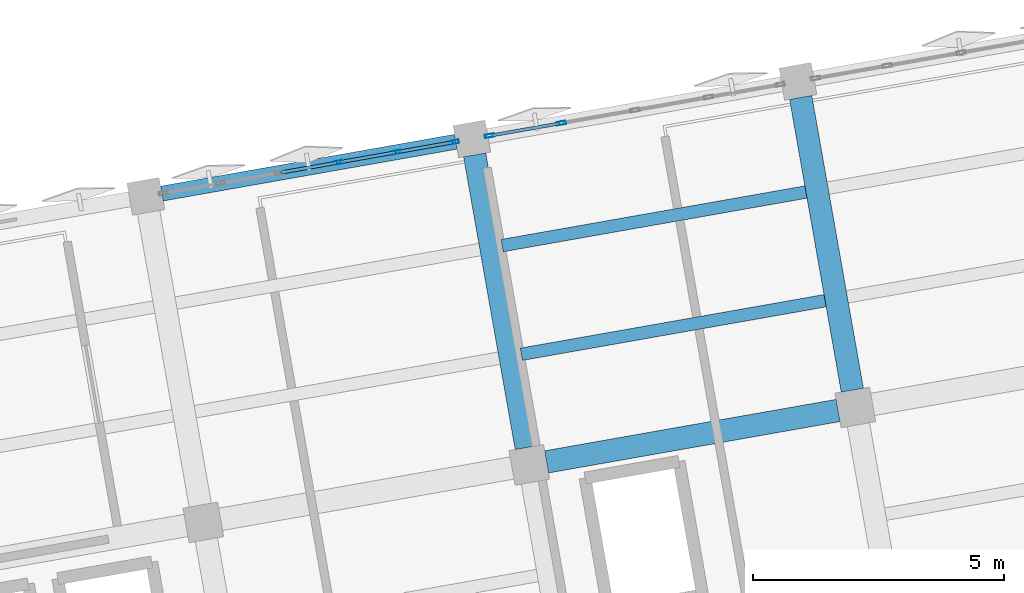
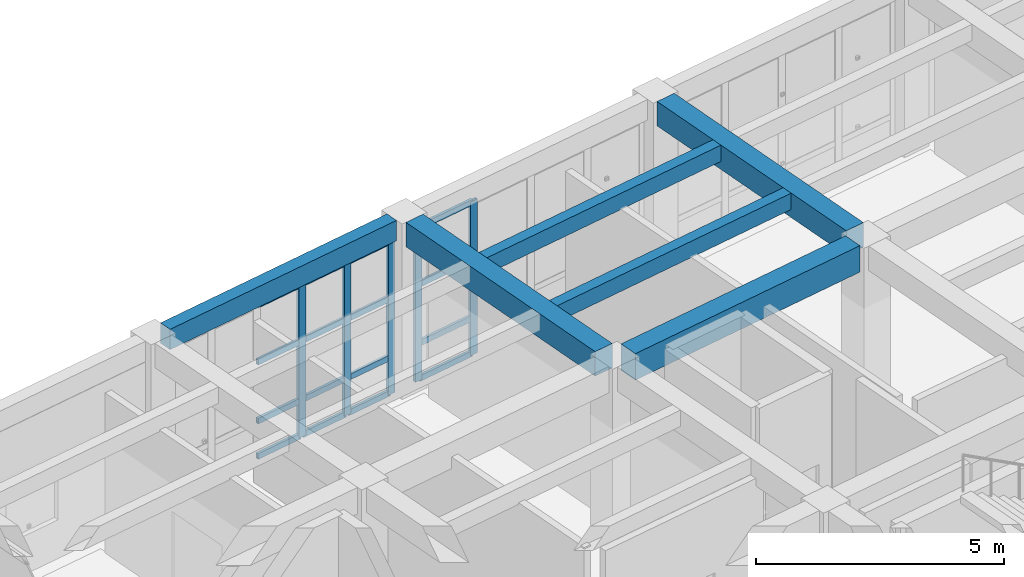
# One storey, part 15 of 48: 21 members, 6 beams, 2 elements without a shape of their own.
"""IFC4 building model written with IfcOpenShell, lengths in metres."""

from ifc_helpers import new_model, si_unit, direction, frame, origin, origin_2d, place, context, subcontext, project, spatial, rectangle, hollow_rectangle, extrude, material, layer, layer_set, material_profile, profile_set, type_object, element, aggregate, save


model = new_model("IFC4")

# Units and contexts
model_context = context("Model", 3, precision=1e-05, world=origin(), true_north=direction((0.0, 1.0)))
body_context = subcontext(model_context, "Body", "Model", "MODEL_VIEW")
ifc_project = project(units=[si_unit("LENGTHUNIT", "METRE"), si_unit("AREAUNIT", "SQUARE_METRE"), si_unit("VOLUMEUNIT", "CUBIC_METRE"), si_unit("PLANEANGLEUNIT", "RADIAN"), si_unit("MASSUNIT", "GRAM", prefix="KILO")], contexts=[model_context])

# Site, building, storey
site_placement = place(None, origin())
site = spatial("IfcSite", under=ifc_project, at=site_placement, CompositionType="ELEMENT")
building_placement = place(site_placement, origin())
building = spatial("IfcBuilding", under=site, at=building_placement, Name="Kharisveld Research Institute", CompositionType="ELEMENT")
storey_placement = place(building_placement, frame((0.0, 0.0, 14.10009765625)))
storey = spatial("IfcBuildingStorey", under=building, at=storey_placement, Name="L03", CompositionType="ELEMENT", Elevation=14.10009765625)

# Beams
ifc_material_1 = material(Name="Concrete C40/50", Category="concrete")
ifc_material_profile_1 = material_profile(ifc_material_1, rectangle(XDim=0.449951171875, YDim=0.60009765625, at=origin_2d()))
ifc_profile_set_1 = profile_set([ifc_material_profile_1], Name="Concrete C40/50")
beam_type_1 = type_object("IfcBeamType", Name="BM_RC_450x600", PredefinedType="BEAM", material=ifc_profile_set_1)
for number, where, z_axis, x_axis, name in (
    (1, (15.846435546875, 50.646240234375, 4.010009765625), (-0.173639592071, 0.984809266846, 0.0), (-0.984809266846, -0.173639592071, 0.0), "BM:V1:L03:V2_2"),
    (2, (22.34619140625, 51.79248046875, 4.010009765625), (-0.173639592071, 0.984809266846, 0.0), (-0.984809266846, -0.173639592071, 0.0), "BM:V1:L03:V3_2"),
):
    element("IfcBeam", number, at=place(storey_placement, frame(where, z_axis=z_axis, x_axis=x_axis)), inside=storey, type_object=beam_type_1, Name=name, PredefinedType="BEAM", context=body_context, shape_type="SweptSolid", body=[
        extrude(rectangle(XDim=0.449951171875, YDim=0.60009765625, at=origin_2d()), origin(), (0.0, 0.0, 1.0), 5.925048828125),
    ])
ifc_material_2 = material(Name="Concrete C40/50", Category="concrete")
ifc_material_profile_2 = material_profile(ifc_material_2, rectangle(XDim=0.449951171875, YDim=0.64990234375, at=origin_2d()))
ifc_profile_set_2 = profile_set([ifc_material_profile_2], Name="Concrete C40/50")
beam_type_2 = type_object("IfcBeamType", Name="BM_RC_450x650", PredefinedType="BEAM", material=ifc_profile_set_2)
beam_1_placement = place(storey_placement, frame((16.251953125, 50.3623046875, 3.98486328125), z_axis=(0.984803548023, 0.173672023659, 0.0), x_axis=(-0.173672023659, 0.984803548023, 0.0)))
element("IfcBeam", 3, at=beam_1_placement, inside=storey, type_object=beam_type_2, Name="BM:V1:L03:U2_2", PredefinedType="BEAM", context=body_context, shape_type="SweptSolid", body=[
    extrude(rectangle(XDim=0.449951171875, YDim=0.64990234375, at=origin_2d()), origin(), (0.0, 0.0, 1.0), 5.89990234375),
])

# Curtain wall, members
ifc_material_3 = material(Name="Thermally Broken Aluminium Curtain Wall", Category="aluminium")
ifc_layer_1 = layer(ifc_material_3, 0.159912109375)
ifc_layer_set_1 = layer_set([ifc_layer_1], Name="CW_SYS_01")
curtain_wall_type_1 = type_object("IfcCurtainWallType", Name="CW_SYS_01", PredefinedType="NOTDEFINED", material=ifc_layer_set_1)
curtain_wall_1_placement = place(storey_placement, origin())
curtain_wall_1 = element("IfcCurtainWall", 4, at=curtain_wall_1_placement, inside=storey, type_object=curtain_wall_type_1, Name="CW:V1:L03:N1", PredefinedType="NOTDEFINED")
ifc_material_4 = material(Name="Anodised Aluminium AW-6063-T6", Category="aluminium")
ifc_material_profile_3 = material_profile(ifc_material_4, hollow_rectangle(XDim=0.070068359375, YDim=0.179931640625, WallThickness=0.00439453125, at=origin_2d()))
ifc_profile_set_3 = profile_set([ifc_material_profile_3], Name="Anodised Aluminium AW-6063-T6")
member_type_1 = type_object("IfcMemberType", Name="CW_MUL_180", PredefinedType="MULLION", material=ifc_profile_set_3)
member_1_placement = place(storey_placement, frame((12.098388671875, 56.331787109375, 0.0), z_axis=(0.0, 0.0, 1.0), x_axis=(-0.173648295062, 0.984807732312, 0.0)))
member_1 = element("IfcMember", 5, at=member_1_placement, type_object=member_type_1, Name="CW-01 mullion 4", PredefinedType="MULLION", context=body_context, shape_type="SweptSolid", body=[
    extrude(hollow_rectangle(XDim=0.070068359375, YDim=0.179931640625, WallThickness=0.00439453125, at=origin_2d()), origin(), (0.0, 0.0, 1.0), 3.77978515625),
])
member_2_placement = place(storey_placement, frame((13.272216796875, 56.538818359375, 0.0), z_axis=(0.0, 0.0, 1.0), x_axis=(-0.173648295062, 0.984807732312, 0.0)))
member_2 = element("IfcMember", 6, at=member_2_placement, type_object=member_type_1, Name="CW-01 mullion 5", PredefinedType="MULLION", context=body_context, shape_type="SweptSolid", body=[
    extrude(hollow_rectangle(XDim=0.070068359375, YDim=0.179931640625, WallThickness=0.00439453125, at=origin_2d()), origin(), (0.0, 0.0, 1.0), 3.77978515625),
])
member_3_placement = place(storey_placement, frame((14.41162109375, 56.73974609375, 0.0), z_axis=(0.0, 0.0, 1.0), x_axis=(-0.173648295062, 0.984807732312, 0.0)))
member_3 = element("IfcMember", 7, at=member_3_placement, type_object=member_type_1, Name="CW-01 mullion 6", PredefinedType="MULLION", context=body_context, shape_type="SweptSolid", body=[
    extrude(hollow_rectangle(XDim=0.070068359375, YDim=0.179931640625, WallThickness=0.00439453125, at=origin_2d()), origin(), (0.0, 0.0, 1.0), 3.77978515625),
])

ifc_material_5 = material(Name="Thermally Broken Aluminium Curtain Wall", Category="aluminium")
ifc_layer_2 = layer(ifc_material_5, 0.159912109375)
ifc_layer_set_2 = layer_set([ifc_layer_2], Name="CW_SYS_02")
curtain_wall_type_2 = type_object("IfcCurtainWallType", Name="CW_SYS_02", PredefinedType="NOTDEFINED", material=ifc_layer_set_2)
curtain_wall_2_placement = place(storey_placement, origin())
curtain_wall_2 = element("IfcCurtainWall", 8, at=curtain_wall_2_placement, inside=storey, type_object=curtain_wall_type_2, Name="CW:V1:L03:N2", PredefinedType="NOTDEFINED")
member_4_placement = place(storey_placement, frame((15.11083984375, 56.863037109375, 0.0), z_axis=(0.0, 0.0, 1.0), x_axis=(-0.173648266375, 0.984807737371, 0.0)))
member_4 = element("IfcMember", 9, at=member_4_placement, type_object=member_type_1, Name="CW-02 mullion 1", PredefinedType="MULLION", context=body_context, shape_type="SweptSolid", body=[
    extrude(hollow_rectangle(XDim=0.070068359375, YDim=0.179931640625, WallThickness=0.00439453125, at=origin_2d()), origin(), (0.0, 0.0, 1.0), 3.77978515625),
])
member_5_placement = place(storey_placement, frame((16.543701171875, 57.11572265625, 0.0), z_axis=(0.0, 0.0, 1.0), x_axis=(-0.173648266375, 0.984807737371, 0.0)))
member_5 = element("IfcMember", 10, at=member_5_placement, type_object=member_type_1, Name="CW-02 mullion 2", PredefinedType="MULLION", context=body_context, shape_type="SweptSolid", body=[
    extrude(hollow_rectangle(XDim=0.070068359375, YDim=0.179931640625, WallThickness=0.00439453125, at=origin_2d()), origin(), (0.0, 0.0, 1.0), 3.77978515625),
])

# Member
ifc_material_6 = material(Name="Anodised Aluminium AW-6063-T6", Category="aluminium")
ifc_material_profile_4 = material_profile(ifc_material_6, hollow_rectangle(XDim=0.06494140625, YDim=0.139892578125, WallThickness=0.00390625, at=origin_2d()))
ifc_profile_set_4 = profile_set([ifc_material_profile_4], Name="Anodised Aluminium AW-6063-T6")
member_type_2 = type_object("IfcMemberType", Name="CW_TRN_140", PredefinedType="USERDEFINED", material=ifc_profile_set_4)
member_6_placement = place(storey_placement, frame((10.958984375, 56.130859375, 0.032470703125), z_axis=(0.984803271184, 0.17367359346, 0.0), x_axis=(-0.17367359346, 0.984803271184, 0.0)))
member_6 = element("IfcMember", 11, at=member_6_placement, type_object=member_type_2, Name="CW-01 transom 3.1", ObjectType="TRANSOM", PredefinedType="USERDEFINED", context=body_context, shape_type="SweptSolid", body=[
    extrude(hollow_rectangle(XDim=0.06494140625, YDim=0.139892578125, WallThickness=0.00390625, at=origin_2d()), origin(), (0.0, 0.0, 1.0), 1.121826171875),
])

member_7_placement = place(storey_placement, frame((10.958984375, 56.130859375, 0.89990234375), z_axis=(0.984803271184, 0.17367359346, 0.0), x_axis=(-0.17367359346, 0.984803271184, 0.0)))
member_7 = element("IfcMember", 12, at=member_7_placement, type_object=member_type_2, Name="CW-01 transom 3.2", ObjectType="TRANSOM", PredefinedType="USERDEFINED", context=body_context, shape_type="SweptSolid", body=[
    extrude(hollow_rectangle(XDim=0.06494140625, YDim=0.139892578125, WallThickness=0.00390625, at=origin_2d()), origin(), (0.0, 0.0, 1.0), 1.121826171875),
])

member_8_placement = place(storey_placement, frame((10.958984375, 56.130859375, 2.349853515625), z_axis=(0.984803271184, 0.17367359346, 0.0), x_axis=(-0.17367359346, 0.984803271184, 0.0)))
member_8 = element("IfcMember", 13, at=member_8_placement, type_object=member_type_2, Name="CW-01 transom 3.3", ObjectType="TRANSOM", PredefinedType="USERDEFINED", context=body_context, shape_type="SweptSolid", body=[
    extrude(hollow_rectangle(XDim=0.06494140625, YDim=0.139892578125, WallThickness=0.00390625, at=origin_2d()), origin(), (0.0, 0.0, 1.0), 1.121826171875),
])

member_9_placement = place(storey_placement, frame((10.958984375, 56.130859375, 3.747314453125), z_axis=(0.984803271184, 0.17367359346, 0.0), x_axis=(-0.17367359346, 0.984803271184, 0.0)))
member_9 = element("IfcMember", 14, at=member_9_placement, type_object=member_type_2, Name="CW-01 transom 3.4", ObjectType="TRANSOM", PredefinedType="USERDEFINED", context=body_context, shape_type="SweptSolid", body=[
    extrude(hollow_rectangle(XDim=0.06494140625, YDim=0.139892578125, WallThickness=0.00390625, at=origin_2d()), origin(), (0.0, 0.0, 1.0), 1.121826171875),
])

member_10_placement = place(storey_placement, frame((12.1328125, 56.337890625, 0.032470703125), z_axis=(0.984809833526, 0.173636378072, 0.0), x_axis=(-0.173636378072, 0.984809833526, 0.0)))
member_10 = element("IfcMember", 15, at=member_10_placement, type_object=member_type_2, Name="CW-01 transom 4.1", ObjectType="TRANSOM", PredefinedType="USERDEFINED", context=body_context, shape_type="SweptSolid", body=[
    extrude(hollow_rectangle(XDim=0.06494140625, YDim=0.139892578125, WallThickness=0.00390625, at=origin_2d()), origin(), (0.0, 0.0, 1.0), 1.1220703125),
])

member_11_placement = place(storey_placement, frame((12.1328125, 56.337890625, 0.89990234375), z_axis=(0.984809833526, 0.173636378072, 0.0), x_axis=(-0.173636378072, 0.984809833526, 0.0)))
member_11 = element("IfcMember", 16, at=member_11_placement, type_object=member_type_2, Name="CW-01 transom 4.2", ObjectType="TRANSOM", PredefinedType="USERDEFINED", context=body_context, shape_type="SweptSolid", body=[
    extrude(hollow_rectangle(XDim=0.06494140625, YDim=0.139892578125, WallThickness=0.00390625, at=origin_2d()), origin(), (0.0, 0.0, 1.0), 1.1220703125),
])

member_12_placement = place(storey_placement, frame((12.1328125, 56.337890625, 2.349853515625), z_axis=(0.984809833526, 0.173636378072, 0.0), x_axis=(-0.173636378072, 0.984809833526, 0.0)))
member_12 = element("IfcMember", 17, at=member_12_placement, type_object=member_type_2, Name="CW-01 transom 4.3", ObjectType="TRANSOM", PredefinedType="USERDEFINED", context=body_context, shape_type="SweptSolid", body=[
    extrude(hollow_rectangle(XDim=0.06494140625, YDim=0.139892578125, WallThickness=0.00390625, at=origin_2d()), origin(), (0.0, 0.0, 1.0), 1.1220703125),
])

member_13_placement = place(storey_placement, frame((12.1328125, 56.337890625, 3.747314453125), z_axis=(0.984809833526, 0.173636378072, 0.0), x_axis=(-0.173636378072, 0.984809833526, 0.0)))
member_13 = element("IfcMember", 18, at=member_13_placement, type_object=member_type_2, Name="CW-01 transom 4.4", ObjectType="TRANSOM", PredefinedType="USERDEFINED", context=body_context, shape_type="SweptSolid", body=[
    extrude(hollow_rectangle(XDim=0.06494140625, YDim=0.139892578125, WallThickness=0.00390625, at=origin_2d()), origin(), (0.0, 0.0, 1.0), 1.1220703125),
])

member_14_placement = place(storey_placement, frame((13.306640625, 56.544921875, 0.032470703125), z_axis=(0.984815195723, 0.173605962667, 0.0), x_axis=(-0.173605962667, 0.984815195723, 0.0)))
member_14 = element("IfcMember", 19, at=member_14_placement, type_object=member_type_2, Name="CW-01 transom 5.1", ObjectType="TRANSOM", PredefinedType="USERDEFINED", context=body_context, shape_type="SweptSolid", body=[
    extrude(hollow_rectangle(XDim=0.06494140625, YDim=0.139892578125, WallThickness=0.00390625, at=origin_2d()), origin(), (0.0, 0.0, 1.0), 1.087158203125),
])

member_15_placement = place(storey_placement, frame((13.306640625, 56.544921875, 0.89990234375), z_axis=(0.984815195723, 0.173605962667, 0.0), x_axis=(-0.173605962667, 0.984815195723, 0.0)))
member_15 = element("IfcMember", 20, at=member_15_placement, type_object=member_type_2, Name="CW-01 transom 5.2", ObjectType="TRANSOM", PredefinedType="USERDEFINED", context=body_context, shape_type="SweptSolid", body=[
    extrude(hollow_rectangle(XDim=0.06494140625, YDim=0.139892578125, WallThickness=0.00390625, at=origin_2d()), origin(), (0.0, 0.0, 1.0), 1.087158203125),
])

member_16_placement = place(storey_placement, frame((13.306640625, 56.544921875, 2.349853515625), z_axis=(0.984815195723, 0.173605962667, 0.0), x_axis=(-0.173605962667, 0.984815195723, 0.0)))
member_16 = element("IfcMember", 21, at=member_16_placement, type_object=member_type_2, Name="CW-01 transom 5.3", ObjectType="TRANSOM", PredefinedType="USERDEFINED", context=body_context, shape_type="SweptSolid", body=[
    extrude(hollow_rectangle(XDim=0.06494140625, YDim=0.139892578125, WallThickness=0.00390625, at=origin_2d()), origin(), (0.0, 0.0, 1.0), 1.087158203125),
])

member_17_placement = place(storey_placement, frame((13.306640625, 56.544921875, 3.747314453125), z_axis=(0.984815195723, 0.173605962667, 0.0), x_axis=(-0.173605962667, 0.984815195723, 0.0)))
member_17 = element("IfcMember", 22, at=member_17_placement, type_object=member_type_2, Name="CW-01 transom 5.4", ObjectType="TRANSOM", PredefinedType="USERDEFINED", context=body_context, shape_type="SweptSolid", body=[
    extrude(hollow_rectangle(XDim=0.06494140625, YDim=0.139892578125, WallThickness=0.00390625, at=origin_2d()), origin(), (0.0, 0.0, 1.0), 1.087158203125),
])

aggregate(curtain_wall_1, [member_1, member_2, member_3, member_6, member_7, member_8, member_9, member_10, member_11, member_12, member_13, member_14, member_15, member_16, member_17])

member_18_placement = place(storey_placement, frame((15.145263671875, 56.869140625, 0.032470703125), z_axis=(0.984811937912, 0.173624442249, 0.0), x_axis=(-0.173624442249, 0.984811937912, 0.0)))
member_18 = element("IfcMember", 23, at=member_18_placement, type_object=member_type_2, Name="CW-02 transom 1.1", ObjectType="TRANSOM", PredefinedType="USERDEFINED", context=body_context, shape_type="SweptSolid", body=[
    extrude(hollow_rectangle(XDim=0.06494140625, YDim=0.139892578125, WallThickness=0.00390625, at=origin_2d()), origin(), (0.0, 0.0, 1.0), 1.385009765625),
])

member_19_placement = place(storey_placement, frame((15.145263671875, 56.869140625, 0.89990234375), z_axis=(0.984811937912, 0.173624442249, 0.0), x_axis=(-0.173624442249, 0.984811937912, 0.0)))
member_19 = element("IfcMember", 24, at=member_19_placement, type_object=member_type_2, Name="CW-02 transom 1.2", ObjectType="TRANSOM", PredefinedType="USERDEFINED", context=body_context, shape_type="SweptSolid", body=[
    extrude(hollow_rectangle(XDim=0.06494140625, YDim=0.139892578125, WallThickness=0.00390625, at=origin_2d()), origin(), (0.0, 0.0, 1.0), 1.385009765625),
])

member_20_placement = place(storey_placement, frame((15.145263671875, 56.869140625, 2.349853515625), z_axis=(0.984811937912, 0.173624442249, 0.0), x_axis=(-0.173624442249, 0.984811937912, 0.0)))
member_20 = element("IfcMember", 25, at=member_20_placement, type_object=member_type_2, Name="CW-02 transom 1.3", ObjectType="TRANSOM", PredefinedType="USERDEFINED", context=body_context, shape_type="SweptSolid", body=[
    extrude(hollow_rectangle(XDim=0.06494140625, YDim=0.139892578125, WallThickness=0.00390625, at=origin_2d()), origin(), (0.0, 0.0, 1.0), 1.385009765625),
])

member_21_placement = place(storey_placement, frame((15.145263671875, 56.869140625, 3.747314453125), z_axis=(0.984811937912, 0.173624442249, 0.0), x_axis=(-0.173624442249, 0.984811937912, 0.0)))
member_21 = element("IfcMember", 26, at=member_21_placement, type_object=member_type_2, Name="CW-02 transom 1.4", ObjectType="TRANSOM", PredefinedType="USERDEFINED", context=body_context, shape_type="SweptSolid", body=[
    extrude(hollow_rectangle(XDim=0.06494140625, YDim=0.139892578125, WallThickness=0.00390625, at=origin_2d()), origin(), (0.0, 0.0, 1.0), 1.385009765625),
])

aggregate(curtain_wall_2, [member_4, member_5, member_18, member_19, member_20, member_21])

# Beams
ifc_material_7 = material(Name="Concrete C40/50", Category="concrete")
ifc_material_profile_5 = material_profile(ifc_material_7, rectangle(XDim=0.300048828125, YDim=0.5, at=origin_2d()))
ifc_profile_set_5 = profile_set([ifc_material_profile_5], Name="Concrete C40/50")
beam_type_3 = type_object("IfcBeamType", Name="SP_RC_300x500", PredefinedType="SPANDREL", material=ifc_profile_set_5)
beam_2_placement = place(storey_placement, frame((8.58154296875, 55.711669921875, 4.059814453125), z_axis=(0.984807920462, 0.173647228007, 0.0), x_axis=(-0.173647228007, 0.984807920462, 0.0)))
element("IfcBeam", 27, at=beam_2_placement, inside=storey, type_object=beam_type_3, Name="BM:V1:L03:U1_3", PredefinedType="SPANDREL", context=body_context, shape_type="SweptSolid", body=[
    extrude(rectangle(XDim=0.300048828125, YDim=0.5, at=origin_2d()), origin(), (0.0, 0.0, 1.0), 5.949951171875),
])
ifc_material_8 = material(Name="Concrete C40/50", Category="concrete")
ifc_material_profile_6 = material_profile(ifc_material_8, rectangle(XDim=0.25, YDim=0.39990234375, at=origin_2d()))
ifc_profile_set_6 = profile_set([ifc_material_profile_6], Name="Concrete C40/50")
beam_type_4 = type_object("IfcBeamType", Name="WB_RC_250x400", PredefinedType="JOIST", material=ifc_profile_set_6)
for number, where, z_axis, x_axis, name in (
    (28, (15.746826171875, 52.50732421875, 4.10986328125), (0.984809923515, 0.173635867682, 0.0), (-0.173635867682, 0.984809923515, 0.0), "BM:V1:L03:J_2_2_R1"),
    (29, (15.36474609375, 54.673828125, 4.10986328125), (0.984809923515, 0.173635867682, 0.0), (-0.173635867682, 0.984809923515, 0.0), "BM:V1:L03:J_2_2_R2"),
):
    element("IfcBeam", number, at=place(storey_placement, frame(where, z_axis=z_axis, x_axis=x_axis)), inside=storey, type_object=beam_type_4, Name=name, PredefinedType="JOIST", context=body_context, shape_type="SweptSolid", body=[
        extrude(rectangle(XDim=0.25, YDim=0.39990234375, at=origin_2d()), origin(), (0.0, 0.0, 1.0), 6.150146484375),
    ])

save(model, "model.ifc")
